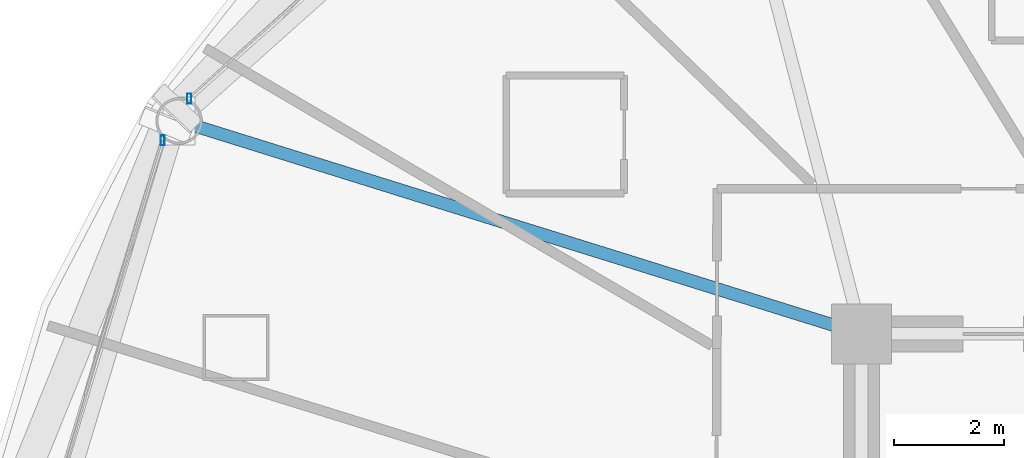
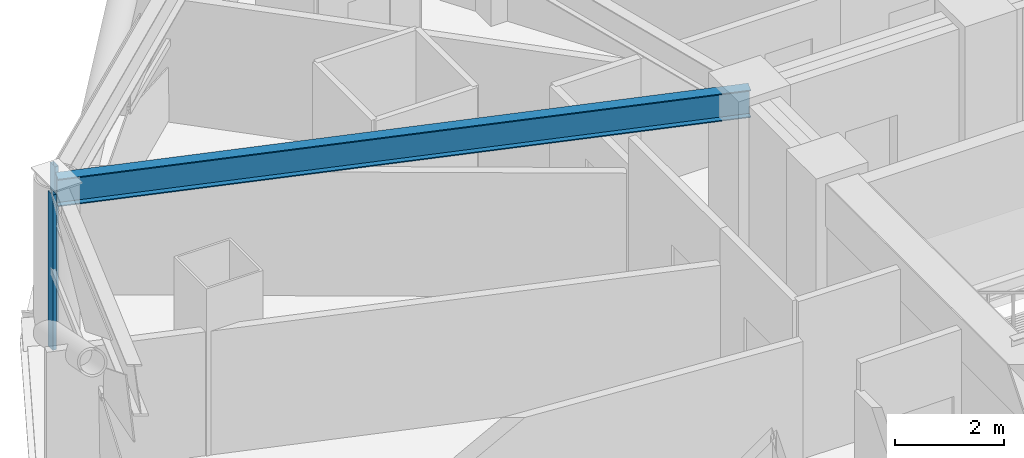
# One storey, part 13 of 31: 2 members, 1 beam, 2 elements without a shape of their own.
"""IFC4 building model written with IfcOpenShell, lengths in metres."""

from ifc_helpers import new_model, si_unit, direction, frame, origin, origin_2d, place, context, subcontext, project, spatial, hollow_rectangle, i_section, extrude, material, layer, layer_set, material_profile, profile_set, type_object, element, aggregate, save


model = new_model("IFC4")

# Units and contexts
model_context = context("Model", 3, precision=1e-05, world=origin(), true_north=direction((0.0, 1.0)))
body_context = subcontext(model_context, "Body", "Model", "MODEL_VIEW")
ifc_project = project(units=[si_unit("LENGTHUNIT", "METRE"), si_unit("AREAUNIT", "SQUARE_METRE"), si_unit("VOLUMEUNIT", "CUBIC_METRE"), si_unit("PLANEANGLEUNIT", "RADIAN"), si_unit("MASSUNIT", "GRAM", prefix="KILO")], contexts=[model_context])

# Site, building, storey
site_placement = place(None, origin())
site = spatial("IfcSite", under=ifc_project, at=site_placement, CompositionType="ELEMENT")
building_placement = place(site_placement, origin())
building = spatial("IfcBuilding", under=site, at=building_placement, Name="Vantalir Tower", CompositionType="ELEMENT")
storey_placement = place(building_placement, frame((0.0, 0.0, 34.5)))
storey = spatial("IfcBuildingStorey", under=building, at=storey_placement, Name="L07", CompositionType="ELEMENT", Elevation=34.5)

# Beam
ifc_material_1 = material(Name="Steel S355", Category="steel")
ifc_material_profile_1 = material_profile(ifc_material_1, i_section(OverallWidth=0.22998046875, OverallDepth=0.616943359375, WebThickness=0.01318359375, FlangeThickness=0.022216796875, at=origin_2d()), Name="Steel S355")
ifc_profile_set_1 = profile_set([ifc_material_profile_1], Name="Steel S355")
beam_type = type_object("IfcBeamType", Name="BM-RB-610x229", PredefinedType="BEAM", material=ifc_profile_set_1)
beam_placement = place(storey_placement, frame((9.4599609375, 36.33203125, 3.261962890625), z_axis=(0.954597910708, -0.297897346198, 0.0), x_axis=(0.297897346198, 0.954597910708, 0.0)))
element("IfcBeam", 1, at=beam_placement, inside=storey, type_object=beam_type, Name="L07 Radial Floor Beam 06", PredefinedType="BEAM", context=body_context, shape_type="SweptSolid", body=[
    extrude(i_section(OverallWidth=0.22998046875, OverallDepth=0.616943359375, WebThickness=0.01318359375, FlangeThickness=0.022216796875, at=origin_2d()), origin(), (0.0, 0.0, 1.0), 13.031494140625),
])

# Curtain wall, member
ifc_material_2 = material(Name="Champagne-silver PVDF aluminium and double-silver Low-E glass", Category="aluminium")
ifc_layer = layer(ifc_material_2, 0.18994140625)
ifc_layer_set = layer_set([ifc_layer], Name="Champagne-silver PVDF aluminium and double-silver Low-E glass")
curtain_wall_type = type_object("IfcCurtainWallType", Name="CW-DIAMOND-Z1", PredefinedType="USERDEFINED", material=ifc_layer_set)
curtain_wall_1_placement = place(storey_placement, origin())
curtain_wall_1 = element("IfcCurtainWall", 2, at=curtain_wall_1_placement, inside=storey, type_object=curtain_wall_type, Name="L07 Quilted Pyramid-Diamond Curtain Wall S05", ObjectType="UNITISED CURTAIN WALL", PredefinedType="USERDEFINED")
ifc_material_3 = material(Name="Champagne-silver PVDF aluminium 6063-T6", Category="aluminium")
ifc_material_profile_2 = material_profile(ifc_material_3, hollow_rectangle(XDim=0.074951171875, YDim=0.179931640625, WallThickness=0.00390625, at=origin_2d()), Name="Champagne-silver PVDF aluminium 6063-T6")
ifc_profile_set_2 = profile_set([ifc_material_profile_2], Name="Champagne-silver PVDF aluminium 6063-T6")
member_type = type_object("IfcMemberType", Name="CWM-180x75", PredefinedType="MULLION", material=ifc_profile_set_2)
member_1_placement = place(storey_placement, frame((9.64599609375, 36.739990234375, 0.044921875), z_axis=(0.0, 0.0, 1.0), x_axis=(1.0, 0.0, 0.0)))
member_1 = element("IfcMember", 3, at=member_1_placement, type_object=member_type, Name="CW-L07-S05 Mullion 2", PredefinedType="MULLION", context=body_context, shape_type="SweptSolid", body=[
    extrude(hollow_rectangle(XDim=0.074951171875, YDim=0.179931640625, WallThickness=0.00390625, at=origin_2d()), origin(), (0.0, 0.0, 1.0), 3.47998046875),
])
aggregate(curtain_wall_1, [member_1])

curtain_wall_2_placement = place(storey_placement, origin())
curtain_wall_2 = element("IfcCurtainWall", 4, at=curtain_wall_2_placement, inside=storey, type_object=curtain_wall_type, Name="L07 Quilted Pyramid-Diamond Curtain Wall S06", ObjectType="UNITISED CURTAIN WALL", PredefinedType="USERDEFINED")
member_2_placement = place(storey_placement, frame((9.159912109375, 35.97705078125, 0.044921875), z_axis=(0.0, 0.0, 1.0), x_axis=(1.0, 0.0, 0.0)))
member_2 = element("IfcMember", 5, at=member_2_placement, type_object=member_type, Name="CW-L07-S06 Mullion 1", PredefinedType="MULLION", context=body_context, shape_type="SweptSolid", body=[
    extrude(hollow_rectangle(XDim=0.074951171875, YDim=0.179931640625, WallThickness=0.00390625, at=origin_2d()), origin(), (0.0, 0.0, 1.0), 3.47998046875),
])
aggregate(curtain_wall_2, [member_2])

save(model, "model.ifc")
